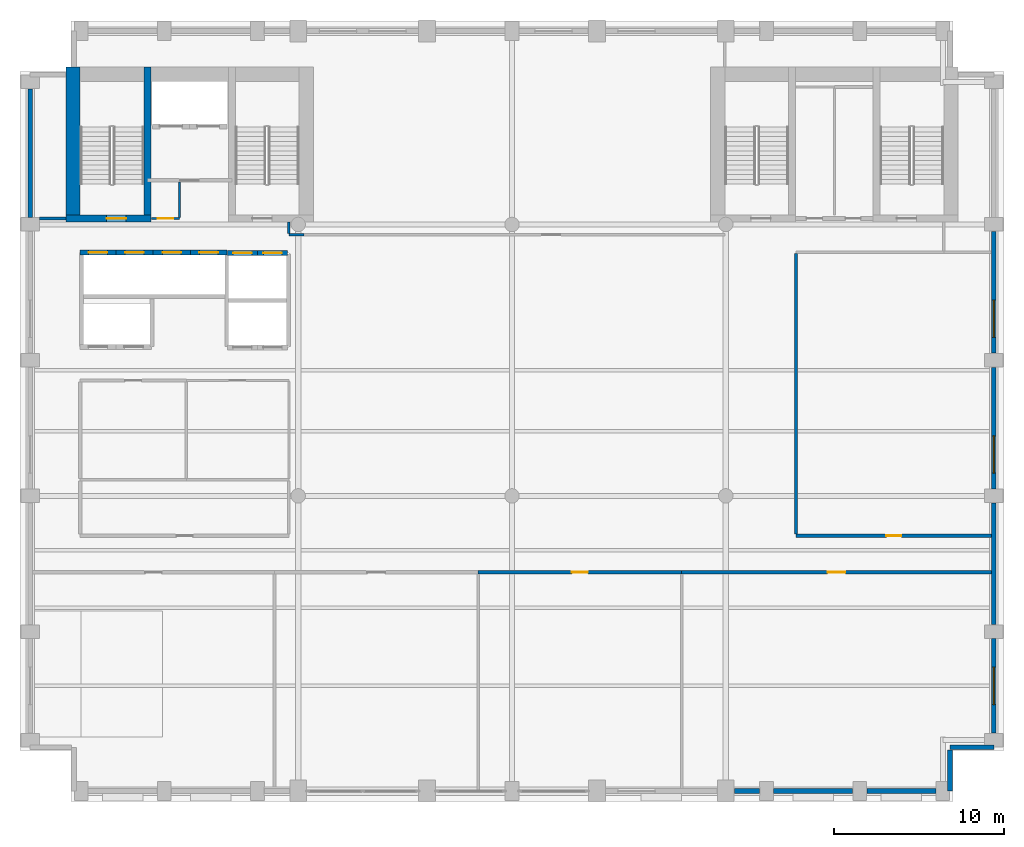
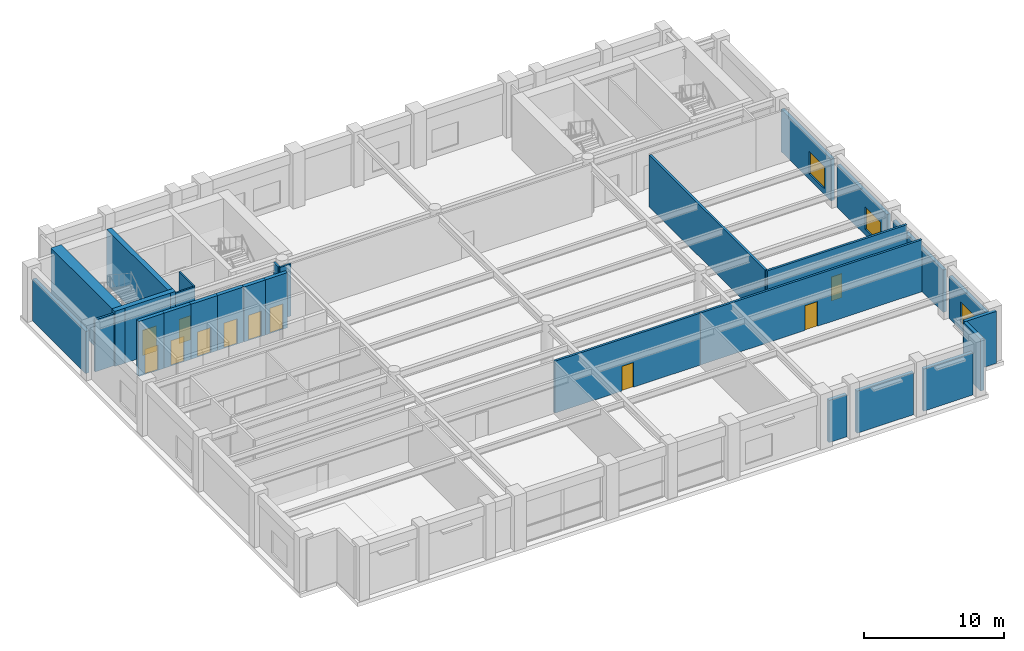
# One storey, part 5 of 10: 28 walls, 11 doors, 3 windows, 14 openings.
"""IFC4 building model written with IfcOpenShell, lengths in metres."""

from ifc_helpers import new_model, si_unit, direction, frame, frame_2d, origin, place, context, subcontext, project, spatial, rectangle, extrude, material, layer, layer_set, type_object, element, fill, save


model = new_model("IFC4")

# Units and contexts
model_context = context("Model", 3, precision=1e-05, world=origin(), true_north=direction((0.0, 1.0)))
body_context = subcontext(model_context, "Body", "Model", "MODEL_VIEW")
ifc_project = project(units=[si_unit("LENGTHUNIT", "METRE"), si_unit("AREAUNIT", "SQUARE_METRE"), si_unit("VOLUMEUNIT", "CUBIC_METRE"), si_unit("PLANEANGLEUNIT", "RADIAN"), si_unit("MASSUNIT", "GRAM", prefix="KILO")], contexts=[model_context])

# Site, building, storey
site_placement = place(None, origin())
site = spatial("IfcSite", under=ifc_project, at=site_placement, CompositionType="ELEMENT")
building_placement = place(site_placement, origin())
building = spatial("IfcBuilding", under=site, at=building_placement, Name="Sulina Concourse Tower", CompositionType="ELEMENT")
storey_placement = place(building_placement, frame((0.0, 0.0, 165.800048828125)))
storey = spatial("IfcBuildingStorey", under=building, at=storey_placement, Name="L40", CompositionType="ELEMENT", Elevation=165.800048828125)

# Wall, opening, door
ifc_material_1 = material(Name="Concrete C50/60", Category="concrete")
ifc_layer_1 = layer(ifc_material_1, 0.300048828125)
ifc_layer_set_1 = layer_set([ifc_layer_1], Name="Concrete C50/60")
wall_type_1 = type_object("IfcWallType", Name="Core Lift Hoistway Wall 300mm", PredefinedType="SOLIDWALL", material=ifc_layer_set_1)
wall_1_placement = place(storey_placement, frame((12.219970703125, 32.320068359375, 0.0), z_axis=(0.0, 0.0, 1.0), x_axis=(1.0, 0.0, 0.0)))
wall_1 = element("IfcWall", 1, at=wall_1_placement, inside=storey, type_object=wall_type_1, Name="L40 hoistway enclosure wall LP-07", PredefinedType="SOLIDWALL", context=body_context, shape_type="SweptSolid", body=[
    extrude(rectangle(XDim=1.780029296875, YDim=0.300048828125, at=frame_2d((0.89013671875, 0.0))), origin(), (0.0, 0.0, 1.0), 4.800048828125),
])
opening_1_placement = place(wall_1_placement, frame((0.340087890625, 0.0, 0.0)))
opening_1 = element("IfcOpeningElement", 2, at=opening_1_placement, cuts=wall_1, Name="Opening LD-01", PredefinedType="OPENING", context=body_context, shape_type="SweptSolid", body=[
    extrude(rectangle(XDim=1.10009765625, YDim=2.199951171875, at=frame_2d((0.550048828125, 1.10009765625))), frame((0.0, 0.159912109375, 0.0), z_axis=(0.0, -1.0, 0.0), x_axis=(1.0, 0.0, 0.0)), (0.0, 0.0, 1.0), 0.320068359375),
])
ifc_material_2 = material(Name="Stainless steel lift landing door", Category="steel")
ifc_layer_2 = layer(ifc_material_2, 0.050048828125)
ifc_layer_set_2 = layer_set([ifc_layer_2], Name="Stainless steel lift landing door")
door_type_1 = type_object("IfcDoorType", Name="Passenger Lift Sliding Landing Door 1100x2200", OperationType="SLIDING_TO_LEFT", PredefinedType="DOOR", material=ifc_layer_set_2)
door_1_placement = place(opening_1_placement, origin())
door_1 = element("IfcDoor", 3, at=door_1_placement, inside=storey, type_object=door_type_1, Name="L40 lift landing sliding door LP-07", OperationType="SLIDING_TO_LEFT", OverallHeight=2.199951171875, OverallWidth=1.10009765625, PredefinedType="DOOR", context=body_context, shape_type="SweptSolid", body=[
    extrude(rectangle(XDim=1.10009765625, YDim=2.199951171875, at=frame_2d((0.550048828125, 1.10009765625))), frame((0.0, 0.02490234375, 0.0), z_axis=(0.0, -1.0, 0.0), x_axis=(1.0, 0.0, 0.0)), (0.0, 0.0, 1.0), 0.050048828125),
])
fill(opening_1, door_1)

wall_2_placement = place(storey_placement, frame((14.0, 32.320068359375, 0.0), z_axis=(0.0, 0.0, 1.0), x_axis=(1.0, 0.0, 0.0)))
wall_2 = element("IfcWall", 4, at=wall_2_placement, inside=storey, type_object=wall_type_1, Name="L40 hoistway enclosure wall LP-08", PredefinedType="SOLIDWALL", context=body_context, shape_type="SweptSolid", body=[
    extrude(rectangle(XDim=1.780029296875, YDim=0.300048828125, at=frame_2d((0.89013671875, 0.0))), origin(), (0.0, 0.0, 1.0), 4.800048828125),
])
opening_2_placement = place(wall_2_placement, frame((0.340087890625, 0.0, 0.0)))
opening_2 = element("IfcOpeningElement", 5, at=opening_2_placement, cuts=wall_2, Name="Opening LD-01", PredefinedType="OPENING", context=body_context, shape_type="SweptSolid", body=[
    extrude(rectangle(XDim=1.10009765625, YDim=2.199951171875, at=frame_2d((0.550048828125, 1.10009765625))), frame((0.0, 0.159912109375, 0.0), z_axis=(0.0, -1.0, 0.0), x_axis=(1.0, 0.0, 0.0)), (0.0, 0.0, 1.0), 0.320068359375),
])
door_2_placement = place(opening_2_placement, origin())
door_2 = element("IfcDoor", 6, at=door_2_placement, inside=storey, type_object=door_type_1, Name="L40 lift landing sliding door LP-08", OperationType="SLIDING_TO_RIGHT", OverallHeight=2.199951171875, OverallWidth=1.10009765625, PredefinedType="DOOR", context=body_context, shape_type="SweptSolid", body=[
    extrude(rectangle(XDim=1.10009765625, YDim=2.199951171875, at=frame_2d((0.550048828125, 1.10009765625))), frame((0.0, 0.02490234375, 0.0), z_axis=(0.0, -1.0, 0.0), x_axis=(1.0, 0.0, 0.0)), (0.0, 0.0, 1.0), 0.050048828125),
])
fill(opening_2, door_2)

wall_3_placement = place(storey_placement, frame((3.550048828125, 32.35009765625, 0.0), z_axis=(0.0, 0.0, 1.0), x_axis=(1.0, 0.0, 0.0)))
wall_3 = element("IfcWall", 7, at=wall_3_placement, inside=storey, type_object=wall_type_1, Name="L40 hoistway enclosure wall LP-09", PredefinedType="SOLIDWALL", context=body_context, shape_type="SweptSolid", body=[
    extrude(rectangle(XDim=2.099853515625, YDim=0.300048828125, at=frame_2d((1.0498046875, 0.0))), origin(), (0.0, 0.0, 1.0), 4.800048828125),
])
opening_3_placement = place(wall_3_placement, frame((0.5, 0.0, 0.0)))
opening_3 = element("IfcOpeningElement", 8, at=opening_3_placement, cuts=wall_3, Name="Opening LD-01", PredefinedType="OPENING", context=body_context, shape_type="SweptSolid", body=[
    extrude(rectangle(XDim=1.10009765625, YDim=2.199951171875, at=frame_2d((0.550048828125, 1.10009765625))), frame((0.0, 0.159912109375, 0.0), z_axis=(0.0, -1.0, 0.0), x_axis=(1.0, 0.0, 0.0)), (0.0, 0.0, 1.0), 0.320068359375),
])
door_3_placement = place(opening_3_placement, origin())
door_3 = element("IfcDoor", 9, at=door_3_placement, inside=storey, type_object=door_type_1, Name="L40 lift landing sliding door LP-09", OperationType="SLIDING_TO_LEFT", OverallHeight=2.199951171875, OverallWidth=1.10009765625, PredefinedType="DOOR", context=body_context, shape_type="SweptSolid", body=[
    extrude(rectangle(XDim=1.10009765625, YDim=2.199951171875, at=frame_2d((0.550048828125, 1.10009765625))), frame((0.0, 0.02490234375, 0.0), z_axis=(0.0, -1.0, 0.0), x_axis=(1.0, 0.0, 0.0)), (0.0, 0.0, 1.0), 0.050048828125),
])
fill(opening_3, door_3)

wall_4_placement = place(storey_placement, frame((5.64990234375, 32.35009765625, 0.0), z_axis=(0.0, 0.0, 1.0), x_axis=(1.0, 0.0, 0.0)))
wall_4 = element("IfcWall", 10, at=wall_4_placement, inside=storey, type_object=wall_type_1, Name="L40 hoistway enclosure wall LP-10", PredefinedType="SOLIDWALL", context=body_context, shape_type="SweptSolid", body=[
    extrude(rectangle(XDim=2.2001953125, YDim=0.300048828125, at=frame_2d((1.10009765625, 0.0))), origin(), (0.0, 0.0, 1.0), 4.800048828125),
])
opening_4_placement = place(wall_4_placement, frame((0.550048828125, 0.0, 0.0)))
opening_4 = element("IfcOpeningElement", 11, at=opening_4_placement, cuts=wall_4, Name="Opening LD-01", PredefinedType="OPENING", context=body_context, shape_type="SweptSolid", body=[
    extrude(rectangle(XDim=1.10009765625, YDim=2.199951171875, at=frame_2d((0.550048828125, 1.10009765625))), frame((0.0, 0.159912109375, 0.0), z_axis=(0.0, -1.0, 0.0), x_axis=(1.0, 0.0, 0.0)), (0.0, 0.0, 1.0), 0.320068359375),
])
door_4_placement = place(opening_4_placement, origin())
door_4 = element("IfcDoor", 12, at=door_4_placement, inside=storey, type_object=door_type_1, Name="L40 lift landing sliding door LP-10", OperationType="SLIDING_TO_RIGHT", OverallHeight=2.199951171875, OverallWidth=1.10009765625, PredefinedType="DOOR", context=body_context, shape_type="SweptSolid", body=[
    extrude(rectangle(XDim=1.10009765625, YDim=2.199951171875, at=frame_2d((0.550048828125, 1.10009765625))), frame((0.0, 0.02490234375, 0.0), z_axis=(0.0, -1.0, 0.0), x_axis=(1.0, 0.0, 0.0)), (0.0, 0.0, 1.0), 0.050048828125),
])
fill(opening_4, door_4)

wall_5_placement = place(storey_placement, frame((7.85009765625, 32.35009765625, 0.0), z_axis=(0.0, 0.0, 1.0), x_axis=(1.0, 0.0, 0.0)))
wall_5 = element("IfcWall", 13, at=wall_5_placement, inside=storey, type_object=wall_type_1, Name="L40 hoistway enclosure wall LP-11", PredefinedType="SOLIDWALL", context=body_context, shape_type="SweptSolid", body=[
    extrude(rectangle(XDim=2.199951171875, YDim=0.300048828125, at=frame_2d((1.10009765625, 0.0))), origin(), (0.0, 0.0, 1.0), 4.800048828125),
])
opening_5_placement = place(wall_5_placement, frame((0.550048828125, 0.0, 0.0)))
opening_5 = element("IfcOpeningElement", 14, at=opening_5_placement, cuts=wall_5, Name="Opening LD-01", PredefinedType="OPENING", context=body_context, shape_type="SweptSolid", body=[
    extrude(rectangle(XDim=1.10009765625, YDim=2.199951171875, at=frame_2d((0.550048828125, 1.10009765625))), frame((0.0, 0.159912109375, 0.0), z_axis=(0.0, -1.0, 0.0), x_axis=(1.0, 0.0, 0.0)), (0.0, 0.0, 1.0), 0.320068359375),
])
door_5_placement = place(opening_5_placement, origin())
door_5 = element("IfcDoor", 15, at=door_5_placement, inside=storey, type_object=door_type_1, Name="L40 lift landing sliding door LP-11", OperationType="SLIDING_TO_LEFT", OverallHeight=2.199951171875, OverallWidth=1.10009765625, PredefinedType="DOOR", context=body_context, shape_type="SweptSolid", body=[
    extrude(rectangle(XDim=1.10009765625, YDim=2.199951171875, at=frame_2d((0.550048828125, 1.10009765625))), frame((0.0, 0.02490234375, 0.0), z_axis=(0.0, -1.0, 0.0), x_axis=(1.0, 0.0, 0.0)), (0.0, 0.0, 1.0), 0.050048828125),
])
fill(opening_5, door_5)

wall_6_placement = place(storey_placement, frame((10.050048828125, 32.35009765625, 0.0), z_axis=(0.0, 0.0, 1.0), x_axis=(1.0, 0.0, 0.0)))
wall_6 = element("IfcWall", 16, at=wall_6_placement, inside=storey, type_object=wall_type_1, Name="L40 hoistway enclosure wall LP-12", PredefinedType="SOLIDWALL", context=body_context, shape_type="SweptSolid", body=[
    extrude(rectangle(XDim=2.14990234375, YDim=0.300048828125, at=frame_2d((1.074951171875, 0.0))), origin(), (0.0, 0.0, 1.0), 4.800048828125),
])
opening_6_placement = place(wall_6_placement, frame((0.52490234375, 0.0, 0.0)))
opening_6 = element("IfcOpeningElement", 17, at=opening_6_placement, cuts=wall_6, Name="Opening LD-01", PredefinedType="OPENING", context=body_context, shape_type="SweptSolid", body=[
    extrude(rectangle(XDim=1.10009765625, YDim=2.199951171875, at=frame_2d((0.550048828125, 1.10009765625))), frame((0.0, 0.159912109375, 0.0), z_axis=(0.0, -1.0, 0.0), x_axis=(1.0, 0.0, 0.0)), (0.0, 0.0, 1.0), 0.320068359375),
])
door_6_placement = place(opening_6_placement, origin())
door_6 = element("IfcDoor", 18, at=door_6_placement, inside=storey, type_object=door_type_1, Name="L40 lift landing sliding door LP-12", OperationType="SLIDING_TO_RIGHT", OverallHeight=2.199951171875, OverallWidth=1.10009765625, PredefinedType="DOOR", context=body_context, shape_type="SweptSolid", body=[
    extrude(rectangle(XDim=1.10009765625, YDim=2.199951171875, at=frame_2d((0.550048828125, 1.10009765625))), frame((0.0, 0.02490234375, 0.0), z_axis=(0.0, -1.0, 0.0), x_axis=(1.0, 0.0, 0.0)), (0.0, 0.0, 1.0), 0.050048828125),
])
fill(opening_6, door_6)

# Walls
ifc_material_3 = material(Name="Gypsum board on steel stud", Category="steel")
ifc_layer_3 = layer(ifc_material_3, 0.14990234375)
ifc_layer_set_3 = layer_set([ifc_layer_3], Name="Gypsum board on steel stud")
wall_type_2 = type_object("IfcWallType", Name="Inter-Tenancy Acoustic Partition 150mm", PredefinedType="PARTITIONING", material=ifc_layer_set_3)
wall_7_placement = place(storey_placement, frame((15.85009765625, 33.39990234375, 0.0), z_axis=(0.0, 0.0, 1.0), x_axis=(1.0, 0.0, 0.0)))
element("IfcWall", 19, at=wall_7_placement, inside=storey, type_object=wall_type_2, Name="L40 interior partition 013", PredefinedType="PARTITIONING", context=body_context, shape_type="SweptSolid", body=[
    extrude(rectangle(XDim=0.89990234375, YDim=0.14990234375, at=frame_2d((0.449951171875, 0.0))), origin(), (0.0, 0.0, 1.0), 4.52490234375),
])
wall_8_placement = place(storey_placement, frame((15.85009765625, 33.47509765625, 0.0), z_axis=(0.0, 0.0, 1.0), x_axis=(0.0, 1.0, 0.0)))
element("IfcWall", 20, at=wall_8_placement, inside=storey, type_object=wall_type_2, Name="L40 interior partition 026", PredefinedType="PARTITIONING", context=body_context, shape_type="SweptSolid", body=[
    extrude(rectangle(XDim=0.6748046875, YDim=0.14990234375, at=frame_2d((0.33740234375, 0.0))), origin(), (0.0, 0.0, 1.0), 4.52490234375),
])

# Wall, opening, door
ifc_material_4 = material(Name="Gypsum board on steel stud", Category="steel")
ifc_layer_4 = layer(ifc_material_4, 0.179931640625)
ifc_layer_set_4 = layer_set([ifc_layer_4], Name="Gypsum board on steel stud")
wall_type_3 = type_object("IfcWallType", Name="Protected Corridor & Riser Partition 180mm", PredefinedType="PARTITIONING", material=ifc_layer_set_4)
wall_9_placement = place(storey_placement, frame((27.0, 13.5, 0.0), z_axis=(0.0, 0.0, 1.0), x_axis=(1.0, 0.0, 0.0)))
wall_9 = element("IfcWall", 21, at=wall_9_placement, inside=storey, type_object=wall_type_3, Name="L40 interior partition 003", PredefinedType="PARTITIONING", context=body_context, shape_type="SweptSolid", body=[
    extrude(rectangle(XDim=12.0, YDim=0.179931640625, at=frame_2d((6.0, 0.0))), origin(), (0.0, 0.0, 1.0), 4.52490234375),
])
opening_7_placement = place(wall_9_placement, frame((5.52490234375, 0.0, 0.0)))
opening_7 = element("IfcOpeningElement", 22, at=opening_7_placement, cuts=wall_9, Name="Opening DR-19", PredefinedType="OPENING", context=body_context, shape_type="SweptSolid", body=[
    extrude(rectangle(XDim=0.949951171875, YDim=2.14990234375, at=frame_2d((0.47509765625, 1.074951171875))), frame((0.0, 0.099853515625, 0.0), z_axis=(0.0, -1.0, 0.0), x_axis=(1.0, 0.0, 0.0)), (0.0, 0.0, 1.0), 0.199951171875),
])
ifc_material_5 = material(Name="Oak-veneered acoustic timber leaf", Category="wood")
ifc_layer_5 = layer(ifc_material_5, 0.050048828125)
ifc_layer_set_5 = layer_set([ifc_layer_5], Name="Oak-veneered acoustic timber leaf")
door_type_2 = type_object("IfcDoorType", Name="Cellular Office & Meeting Door 950x2150", OperationType="NOTDEFINED", PredefinedType="DOOR", material=ifc_layer_set_5)
door_7_placement = place(opening_7_placement, origin())
door_7 = element("IfcDoor", 23, at=door_7_placement, inside=storey, type_object=door_type_2, Name="L40 interior door L40-MTG-SL2", OperationType="SINGLE_SWING_LEFT", OverallHeight=2.14990234375, OverallWidth=0.949951171875, PredefinedType="DOOR", context=body_context, shape_type="SweptSolid", body=[
    extrude(rectangle(XDim=0.949951171875, YDim=2.14990234375, at=frame_2d((0.47509765625, 1.074951171875))), frame((0.0, 0.02490234375, 0.0), z_axis=(0.0, -1.0, 0.0), x_axis=(1.0, 0.0, 0.0)), (0.0, 0.0, 1.0), 0.050048828125),
])
fill(opening_7, door_7)

wall_10_placement = place(storey_placement, frame((39.0, 13.5, 0.0), z_axis=(0.0, 0.0, 1.0), x_axis=(1.0, 0.0, 0.0)))
wall_10 = element("IfcWall", 24, at=wall_10_placement, inside=storey, type_object=wall_type_3, Name="L40 interior partition 004", PredefinedType="PARTITIONING", context=body_context, shape_type="SweptSolid", body=[
    extrude(rectangle(XDim=18.260009765625, YDim=0.179931640625, at=frame_2d((9.1298828125, 0.0))), origin(), (0.0, 0.0, 1.0), 4.52490234375),
])
opening_8_placement = place(wall_10_placement, frame((8.60498046875, 0.0, 0.0)))
opening_8 = element("IfcOpeningElement", 25, at=opening_8_placement, cuts=wall_10, Name="Opening DR-37", PredefinedType="OPENING", context=body_context, shape_type="SweptSolid", body=[
    extrude(rectangle(XDim=1.050048828125, YDim=2.14990234375, at=frame_2d((0.52490234375, 1.074951171875))), frame((0.0, 0.099853515625, 0.0), z_axis=(0.0, -1.0, 0.0), x_axis=(1.0, 0.0, 0.0)), (0.0, 0.0, 1.0), 0.199951171875),
])
ifc_material_6 = material(Name="Oak-veneered fire door leaf")
ifc_layer_6 = layer(ifc_material_6, 0.050048828125)
ifc_layer_set_6 = layer_set([ifc_layer_6], Name="Oak-veneered fire door leaf")
door_type_3 = type_object("IfcDoorType", Name="Tenant Suite Entrance Fire Door 1050x2150", OperationType="NOTDEFINED", PredefinedType="DOOR", material=ifc_layer_set_6)
door_8_placement = place(opening_8_placement, origin())
door_8 = element("IfcDoor", 26, at=door_8_placement, inside=storey, type_object=door_type_3, Name="L40 interior door L40-SHW-SL", OperationType="SINGLE_SWING_RIGHT", OverallHeight=2.14990234375, OverallWidth=1.050048828125, PredefinedType="DOOR", context=body_context, shape_type="SweptSolid", body=[
    extrude(rectangle(XDim=1.050048828125, YDim=2.14990234375, at=frame_2d((0.52490234375, 1.074951171875))), frame((0.0, 0.02490234375, 0.0), z_axis=(0.0, -1.0, 0.0), x_axis=(1.0, 0.0, 0.0)), (0.0, 0.0, 1.0), 0.050048828125),
])
fill(opening_8, door_8)

wall_11_placement = place(storey_placement, frame((45.75, 15.64990234375, 0.0), z_axis=(0.0, 0.0, 1.0), x_axis=(1.0, 0.0, 0.0)))
wall_11 = element("IfcWall", 27, at=wall_11_placement, inside=storey, type_object=wall_type_3, Name="L40 interior partition 006", PredefinedType="PARTITIONING", context=body_context, shape_type="SweptSolid", body=[
    extrude(rectangle(XDim=11.510009765625, YDim=0.179931640625, at=frame_2d((5.7548828125, 0.0))), origin(), (0.0, 0.0, 1.0), 4.52490234375),
])
opening_9_placement = place(wall_11_placement, frame((5.31494140625, 0.0, 0.0)))
opening_9 = element("IfcOpeningElement", 28, at=opening_9_placement, cuts=wall_11, Name="Opening DR-38", PredefinedType="OPENING", context=body_context, shape_type="SweptSolid", body=[
    extrude(rectangle(XDim=0.8798828125, YDim=2.10009765625, at=frame_2d((0.43994140625, 1.050048828125))), frame((0.0, 0.099853515625, 0.0), z_axis=(0.0, -1.0, 0.0), x_axis=(1.0, 0.0, 0.0)), (0.0, 0.0, 1.0), 0.199951171875),
])
ifc_material_7 = material(Name="Galvanised steel acoustic fire leaf", Category="steel")
ifc_layer_7 = layer(ifc_material_7, 0.050048828125)
ifc_layer_set_7 = layer_set([ifc_layer_7], Name="Galvanised steel acoustic fire leaf")
door_type_4 = type_object("IfcDoorType", Name="Service Riser Fire Door 880x2100", OperationType="NOTDEFINED", PredefinedType="DOOR", material=ifc_layer_set_7)
door_9_placement = place(opening_9_placement, origin())
door_9 = element("IfcDoor", 29, at=door_9_placement, inside=storey, type_object=door_type_4, Name="L40 interior door L40-STR-SL", OperationType="SINGLE_SWING_RIGHT", OverallHeight=2.10009765625, OverallWidth=0.8798828125, PredefinedType="DOOR", context=body_context, shape_type="SweptSolid", body=[
    extrude(rectangle(XDim=0.8798828125, YDim=2.10009765625, at=frame_2d((0.43994140625, 1.050048828125))), frame((0.0, 0.02490234375, 0.0), z_axis=(0.0, -1.0, 0.0), x_axis=(1.0, 0.0, 0.0)), (0.0, 0.0, 1.0), 0.050048828125),
])
fill(opening_9, door_9)

# Walls
wall_12_placement = place(storey_placement, frame((1.14990234375, 34.35009765625, 0.0), z_axis=(0.0, 0.0, 1.0), x_axis=(1.0, 0.0, 0.0)))
element("IfcWall", 30, at=wall_12_placement, inside=storey, type_object=wall_type_3, Name="L40 interior partition 015", PredefinedType="PARTITIONING", context=body_context, shape_type="SweptSolid", body=[
    extrude(rectangle(XDim=1.550048828125, YDim=0.179931640625, at=frame_2d((0.77490234375, 0.0))), origin(), (0.0, 0.0, 1.0), 4.52490234375),
])
wall_13_placement = place(storey_placement, frame((45.75, 15.739990234375, 0.0), z_axis=(0.0, 0.0, 1.0), x_axis=(0.0, 1.0, 0.0)))
element("IfcWall", 31, at=wall_13_placement, inside=storey, type_object=wall_type_3, Name="L40 interior partition 030", PredefinedType="PARTITIONING", context=body_context, shape_type="SweptSolid", body=[
    extrude(rectangle(XDim=16.534912109375, YDim=0.179931640625, at=frame_2d((8.267578125, 0.0))), origin(), (0.0, 0.0, 1.0), 4.52490234375),
])

# Wall, opening, door
ifc_material_8 = material(Name="Concrete C60/75", Category="concrete")
ifc_layer_8 = layer(ifc_material_8, 0.39990234375)
ifc_layer_set_8 = layer_set([ifc_layer_8], Name="Concrete C60/75")
wall_type_4 = type_object("IfcWallType", Name="Protected Stair Core Shear Wall 400mm", PredefinedType="SHEAR", material=ifc_layer_set_8)
wall_14_placement = place(storey_placement, frame((2.699951171875, 34.35009765625, 0.0), z_axis=(0.0, 0.0, 1.0), x_axis=(1.0, 0.0, 0.0)))
wall_14 = element("IfcWall", 32, at=wall_14_placement, inside=storey, type_object=wall_type_4, Name="L40 west core shear wall CW-WS1", PredefinedType="SHEAR", context=body_context, shape_type="SweptSolid", body=[
    extrude(rectangle(XDim=5.010009765625, YDim=0.39990234375, at=frame_2d((2.5048828125, 0.0))), origin(), (0.0, 0.0, 1.0), 4.800048828125),
])
opening_10_placement = place(wall_14_placement, frame((2.39990234375, 0.0, 0.0)))
opening_10 = element("IfcOpeningElement", 33, at=opening_10_placement, cuts=wall_14, Name="Opening DR-60", PredefinedType="OPENING", context=body_context, shape_type="SweptSolid", body=[
    extrude(rectangle(XDim=1.14990234375, YDim=2.199951171875, at=frame_2d((0.574951171875, 1.10009765625))), frame((0.0, 0.2099609375, 0.0), z_axis=(0.0, -1.0, 0.0), x_axis=(1.0, 0.0, 0.0)), (0.0, 0.0, 1.0), 0.419921875),
])
ifc_material_9 = material(Name="Galvanised steel acoustic fire leaf", Category="steel")
ifc_layer_9 = layer(ifc_material_9, 0.054931640625)
ifc_layer_set_9 = layer_set([ifc_layer_9], Name="Galvanised steel acoustic fire leaf")
door_type_5 = type_object("IfcDoorType", Name="Protected Exit Stair Fire Door 1150x2200", OperationType="NOTDEFINED", PredefinedType="DOOR", material=ifc_layer_set_9)
door_10_placement = place(opening_10_placement, origin())
door_10 = element("IfcDoor", 34, at=door_10_placement, inside=storey, type_object=door_type_5, Name="L40 stair ST-1 lobby fire door", OperationType="SINGLE_SWING_LEFT", OverallHeight=2.199951171875, OverallWidth=1.14990234375, PredefinedType="DOOR", context=body_context, shape_type="SweptSolid", body=[
    extrude(rectangle(XDim=1.14990234375, YDim=2.199951171875, at=frame_2d((0.574951171875, 1.10009765625))), frame((0.0, 0.02490234375, 0.0), z_axis=(0.0, -1.0, 0.0), x_axis=(1.0, 0.0, 0.0)), (0.0, 0.0, 1.0), 0.050048828125),
])
fill(opening_10, door_10)

# Walls
wall_15_placement = place(storey_placement, frame((7.510009765625, 34.14990234375, 0.0), z_axis=(0.0, 0.0, 1.0), x_axis=(0.0, 1.0, 0.0)))
element("IfcWall", 35, at=wall_15_placement, inside=storey, type_object=wall_type_4, Name="L40 west core shear wall SW-ST1", PredefinedType="SHEAR", context=body_context, shape_type="SweptSolid", body=[
    extrude(rectangle(XDim=9.130126953125, YDim=0.39990234375, at=frame_2d((4.56494140625, 0.0))), origin(), (0.0, 0.0, 1.0), 4.800048828125),
])
ifc_material_10 = material(Name="Concrete C60/75", Category="concrete")
ifc_layer_10 = layer(ifc_material_10, 0.85009765625)
ifc_layer_set_10 = layer_set([ifc_layer_10], Name="Concrete C60/75")
wall_type_5 = type_object("IfcWallType", Name="Rear Core Shear Wall 850mm", PredefinedType="SHEAR", material=ifc_layer_set_10)
wall_16_placement = place(storey_placement, frame((3.125, 34.14990234375, 0.0), z_axis=(0.0, 0.0, 1.0), x_axis=(0.0, 1.0, 0.0)))
element("IfcWall", 36, at=wall_16_placement, inside=storey, type_object=wall_type_5, Name="L40 west core shear wall CW-WW", PredefinedType="SHEAR", context=body_context, shape_type="SweptSolid", body=[
    extrude(rectangle(XDim=9.130126953125, YDim=0.85009765625, at=frame_2d((4.56494140625, 0.0))), origin(), (0.0, 0.0, 1.0), 4.800048828125),
])
ifc_material_11 = material(Name="Precast concrete C50/60", Category="concrete")
ifc_layer_11 = layer(ifc_material_11, 0.280029296875)
ifc_layer_set_11 = layer_set([ifc_layer_11], Name="Precast concrete C50/60")
wall_type_6 = type_object("IfcWallType", Name="Typical Precast Masonry-Frame Facade Wall 280mm", PredefinedType="SOLIDWALL", material=ifc_layer_set_11)
wall_17_placement = place(storey_placement, frame((43.580078125, 0.60009765625, 0.0), z_axis=(0.0, 0.0, 1.0), x_axis=(-1.0, 0.0, 0.0)))
element("IfcWall", 37, at=wall_17_placement, inside=storey, type_object=wall_type_6, Name="L40 exterior precast wall S8", PredefinedType="SOLIDWALL", context=body_context, shape_type="SweptSolid", body=[
    extrude(rectangle(XDim=1.4599609375, YDim=0.280029296875, at=frame_2d((0.72998046875, 0.0))), origin(), (0.0, 0.0, 1.0), 3.675048828125),
])
wall_18_placement = place(storey_placement, frame((49.080078125, 0.60009765625, 0.0), z_axis=(0.0, 0.0, 1.0), x_axis=(-1.0, 0.0, 0.0)))
element("IfcWall", 38, at=wall_18_placement, inside=storey, type_object=wall_type_6, Name="L40 exterior precast wall S9", PredefinedType="SOLIDWALL", context=body_context, shape_type="SweptSolid", body=[
    extrude(rectangle(XDim=4.66015625, YDim=0.280029296875, at=frame_2d((2.330078125, 0.0))), origin(), (0.0, 0.0, 1.0), 3.675048828125),
])
wall_19_placement = place(storey_placement, frame((53.97998046875, 0.60009765625, 0.0), z_axis=(0.0, 0.0, 1.0), x_axis=(-1.0, 0.0, 0.0)))
element("IfcWall", 39, at=wall_19_placement, inside=storey, type_object=wall_type_6, Name="L40 exterior precast wall S10", PredefinedType="SOLIDWALL", context=body_context, shape_type="SweptSolid", body=[
    extrude(rectangle(XDim=4.06005859375, YDim=0.280029296875, at=frame_2d((2.030029296875, 0.0))), origin(), (0.0, 0.0, 1.0), 3.675048828125),
])
wall_20_placement = place(storey_placement, frame((0.60009765625, 34.419921875, 0.0), z_axis=(0.0, 0.0, 1.0), x_axis=(0.0, 1.0, 0.0)))
element("IfcWall", 40, at=wall_20_placement, inside=storey, type_object=wall_type_6, Name="L40 exterior precast wall W5", PredefinedType="SOLIDWALL", context=body_context, shape_type="SweptSolid", body=[
    extrude(rectangle(XDim=7.56005859375, YDim=0.280029296875, at=frame_2d((3.780029296875, 0.0))), origin(), (0.0, 0.0, 1.0), 3.675048828125),
])

# Wall, opening, window
wall_21_placement = place(storey_placement, frame((57.39990234375, 9.580078125, 0.0), z_axis=(0.0, 0.0, 1.0), x_axis=(0.0, -1.0, 0.0)))
wall_21 = element("IfcWall", 41, at=wall_21_placement, inside=storey, type_object=wall_type_6, Name="L40 exterior precast wall E1", PredefinedType="SOLIDWALL", context=body_context, shape_type="SweptSolid", body=[
    extrude(rectangle(XDim=5.56005859375, YDim=0.280029296875, at=frame_2d((2.780029296875, 0.0))), origin(), (0.0, 0.0, 1.0), 3.675048828125),
])
opening_11_placement = place(wall_21_placement, frame((1.679931640625, 0.0, 0.5)))
opening_11 = element("IfcOpeningElement", 42, at=opening_11_placement, cuts=wall_21, Name="Opening WN-76", PredefinedType="OPENING", context=body_context, shape_type="SweptSolid", body=[
    extrude(rectangle(XDim=2.199951171875, YDim=1.949951171875, at=frame_2d((1.10009765625, 0.97509765625))), frame((0.0, 0.14990234375, 0.0), z_axis=(0.0, -1.0, 0.0), x_axis=(1.0, 0.0, 0.0)), (0.0, 0.0, 1.0), 0.300048828125),
])
ifc_material_12 = material(Name="Low-E solar double glazing in bronze aluminium", Category="aluminium")
window_type = type_object("IfcWindowType", Name="Recessed Spandrel Window 2200x1950", PartitioningType="DOUBLE_PANEL_VERTICAL", PredefinedType="WINDOW", material=ifc_material_12)
window_1_placement = place(opening_11_placement, origin())
window_1 = element("IfcWindow", 43, at=window_1_placement, inside=storey, type_object=window_type, Name="L40 punched window E1-1", OverallHeight=1.949951171875, OverallWidth=2.199951171875, PartitioningType="SINGLE_PANEL", PredefinedType="WINDOW", context=body_context, shape_type="SweptSolid", body=[
    extrude(rectangle(XDim=2.199951171875, YDim=1.949951171875, at=frame_2d((1.10009765625, 0.97509765625))), frame((0.0, 0.030029296875, 0.0), z_axis=(0.0, -1.0, 0.0), x_axis=(1.0, 0.0, 0.0)), (0.0, 0.0, 1.0), 0.06005859375),
])
fill(opening_11, window_1)

# Wall
wall_22_placement = place(storey_placement, frame((57.39990234375, 17.580078125, 0.0), z_axis=(0.0, 0.0, 1.0), x_axis=(0.0, -1.0, 0.0)))
element("IfcWall", 44, at=wall_22_placement, inside=storey, type_object=wall_type_6, Name="L40 exterior precast wall E2", PredefinedType="SOLIDWALL", context=body_context, shape_type="SweptSolid", body=[
    extrude(rectangle(XDim=7.16015625, YDim=0.280029296875, at=frame_2d((3.580078125, 0.0))), origin(), (0.0, 0.0, 1.0), 3.675048828125),
])

# Wall, opening, window
wall_23_placement = place(storey_placement, frame((57.39990234375, 25.580078125, 0.0), z_axis=(0.0, 0.0, 1.0), x_axis=(0.0, -1.0, 0.0)))
wall_23 = element("IfcWall", 45, at=wall_23_placement, inside=storey, type_object=wall_type_6, Name="L40 exterior precast wall E3", PredefinedType="SOLIDWALL", context=body_context, shape_type="SweptSolid", body=[
    extrude(rectangle(XDim=7.16015625, YDim=0.280029296875, at=frame_2d((3.580078125, 0.0))), origin(), (0.0, 0.0, 1.0), 3.675048828125),
])
opening_12_placement = place(wall_23_placement, frame((4.0400390625, 0.0, 0.5)))
opening_12 = element("IfcOpeningElement", 46, at=opening_12_placement, cuts=wall_23, Name="Opening WN-76", PredefinedType="OPENING", context=body_context, shape_type="SweptSolid", body=[
    extrude(rectangle(XDim=2.199951171875, YDim=1.949951171875, at=frame_2d((1.10009765625, 0.97509765625))), frame((0.0, 0.14990234375, 0.0), z_axis=(0.0, -1.0, 0.0), x_axis=(1.0, 0.0, 0.0)), (0.0, 0.0, 1.0), 0.300048828125),
])
window_2_placement = place(opening_12_placement, origin())
window_2 = element("IfcWindow", 47, at=window_2_placement, inside=storey, type_object=window_type, Name="L40 punched window E3-1", OverallHeight=1.949951171875, OverallWidth=2.199951171875, PartitioningType="SINGLE_PANEL", PredefinedType="WINDOW", context=body_context, shape_type="SweptSolid", body=[
    extrude(rectangle(XDim=2.199951171875, YDim=1.949951171875, at=frame_2d((1.10009765625, 0.97509765625))), frame((0.0, 0.030029296875, 0.0), z_axis=(0.0, -1.0, 0.0), x_axis=(1.0, 0.0, 0.0)), (0.0, 0.0, 1.0), 0.06005859375),
])
fill(opening_12, window_2)

wall_24_placement = place(storey_placement, frame((57.39990234375, 33.580078125, 0.0), z_axis=(0.0, 0.0, 1.0), x_axis=(0.0, -1.0, 0.0)))
wall_24 = element("IfcWall", 48, at=wall_24_placement, inside=storey, type_object=wall_type_6, Name="L40 exterior precast wall E4", PredefinedType="SOLIDWALL", context=body_context, shape_type="SweptSolid", body=[
    extrude(rectangle(XDim=7.16015625, YDim=0.280029296875, at=frame_2d((3.580078125, 0.0))), origin(), (0.0, 0.0, 1.0), 3.675048828125),
])
opening_13_placement = place(wall_24_placement, frame((4.0400390625, 0.0, 0.5)))
opening_13 = element("IfcOpeningElement", 49, at=opening_13_placement, cuts=wall_24, Name="Opening WN-76", PredefinedType="OPENING", context=body_context, shape_type="SweptSolid", body=[
    extrude(rectangle(XDim=2.199951171875, YDim=1.949951171875, at=frame_2d((1.10009765625, 0.97509765625))), frame((0.0, 0.14990234375, 0.0), z_axis=(0.0, -1.0, 0.0), x_axis=(1.0, 0.0, 0.0)), (0.0, 0.0, 1.0), 0.300048828125),
])
window_3_placement = place(opening_13_placement, origin())
window_3 = element("IfcWindow", 50, at=window_3_placement, inside=storey, type_object=window_type, Name="L40 punched window E4-1", OverallHeight=1.949951171875, OverallWidth=2.199951171875, PartitioningType="SINGLE_PANEL", PredefinedType="WINDOW", context=body_context, shape_type="SweptSolid", body=[
    extrude(rectangle(XDim=2.199951171875, YDim=1.949951171875, at=frame_2d((1.10009765625, 0.97509765625))), frame((0.0, 0.030029296875, 0.0), z_axis=(0.0, -1.0, 0.0), x_axis=(1.0, 0.0, 0.0)), (0.0, 0.0, 1.0), 0.06005859375),
])
fill(opening_13, window_3)

# Walls
wall_25_placement = place(storey_placement, frame((57.39990234375, 3.179931640625, 0.0), z_axis=(0.0, 0.0, 1.0), x_axis=(-1.0, 0.0, 0.0)))
element("IfcWall", 51, at=wall_25_placement, inside=storey, type_object=wall_type_6, Name="L40 exterior precast wall CSE1", PredefinedType="SOLIDWALL", context=body_context, shape_type="SweptSolid", body=[
    extrude(rectangle(XDim=2.579833984375, YDim=0.280029296875, at=frame_2d((1.2900390625, 0.0))), origin(), (0.0, 0.0, 1.0), 4.52490234375),
])
wall_26_placement = place(storey_placement, frame((54.820068359375, 3.034912109375, 0.0), z_axis=(0.0, 0.0, 1.0), x_axis=(0.0, -1.0, 0.0)))
element("IfcWall", 52, at=wall_26_placement, inside=storey, type_object=wall_type_6, Name="L40 exterior precast wall CSE2", PredefinedType="SOLIDWALL", context=body_context, shape_type="SweptSolid", body=[
    extrude(rectangle(XDim=2.434814453125, YDim=0.280029296875, at=frame_2d((1.21728515625, 0.0))), origin(), (0.0, 0.0, 1.0), 4.52490234375),
])

# Wall, opening, door
ifc_material_13 = material(Name="Gypsum board on steel stud", Category="steel")
ifc_layer_12 = layer(ifc_material_13, 0.125)
ifc_layer_set_12 = layer_set([ifc_layer_12], Name="Gypsum board on steel stud")
wall_type_7 = type_object("IfcWallType", Name="Wet-Area Moisture-Resistant Partition 125mm", PredefinedType="PARTITIONING", material=ifc_layer_set_12)
wall_27_placement = place(storey_placement, frame((7.75, 34.35009765625, 0.0), z_axis=(0.0, 0.0, 1.0), x_axis=(1.0, 0.0, 0.0)))
wall_27 = element("IfcWall", 53, at=wall_27_placement, inside=storey, type_object=wall_type_7, Name="L40 interior partition 016", PredefinedType="PARTITIONING", context=body_context, shape_type="SweptSolid", body=[
    extrude(rectangle(XDim=1.64990234375, YDim=0.125, at=frame_2d((0.824951171875, 0.0))), origin(), (0.0, 0.0, 1.0), 4.52490234375),
])
opening_14_placement = place(wall_27_placement, frame((0.364990234375, 0.0, 0.0)))
opening_14 = element("IfcOpeningElement", 54, at=opening_14_placement, cuts=wall_27, Name="Opening DR-61", PredefinedType="OPENING", context=body_context, shape_type="SweptSolid", body=[
    extrude(rectangle(XDim=0.919921875, YDim=2.10009765625, at=frame_2d((0.4599609375, 1.050048828125))), frame((0.0, 0.072509765625, 0.0), z_axis=(0.0, -1.0, 0.0), x_axis=(1.0, 0.0, 0.0)), (0.0, 0.0, 1.0), 0.14501953125),
])
ifc_material_14 = material(Name="Oak-veneered fire door leaf")
ifc_layer_13 = layer(ifc_material_14, 0.050048828125)
ifc_layer_set_13 = layer_set([ifc_layer_13], Name="Oak-veneered fire door leaf")
door_type_6 = type_object("IfcDoorType", Name="Accessible WC Door 920x2100", OperationType="NOTDEFINED", PredefinedType="DOOR", material=ifc_layer_set_13)
door_11_placement = place(opening_14_placement, origin())
door_11 = element("IfcDoor", 55, at=door_11_placement, inside=storey, type_object=door_type_6, Name="L40 interior door L40-WC-ACC", OperationType="SINGLE_SWING_RIGHT", OverallHeight=2.10009765625, OverallWidth=0.919921875, PredefinedType="DOOR", context=body_context, shape_type="SweptSolid", body=[
    extrude(rectangle(XDim=0.919921875, YDim=2.10009765625, at=frame_2d((0.4599609375, 1.050048828125))), frame((0.0, 0.02490234375, 0.0), z_axis=(0.0, -1.0, 0.0), x_axis=(1.0, 0.0, 0.0)), (0.0, 0.0, 1.0), 0.050048828125),
])
fill(opening_14, door_11)

# Wall
wall_28_placement = place(storey_placement, frame((9.39990234375, 34.41259765625, 0.0), z_axis=(0.0, 0.0, 1.0), x_axis=(0.0, 1.0, 0.0)))
element("IfcWall", 56, at=wall_28_placement, inside=storey, type_object=wall_type_7, Name="L40 interior partition 021", PredefinedType="PARTITIONING", context=body_context, shape_type="SweptSolid", body=[
    extrude(rectangle(XDim=2.077392578125, YDim=0.125, at=frame_2d((1.03857421875, 0.0))), origin(), (0.0, 0.0, 1.0), 4.52490234375),
])

save(model, "model.ifc")
